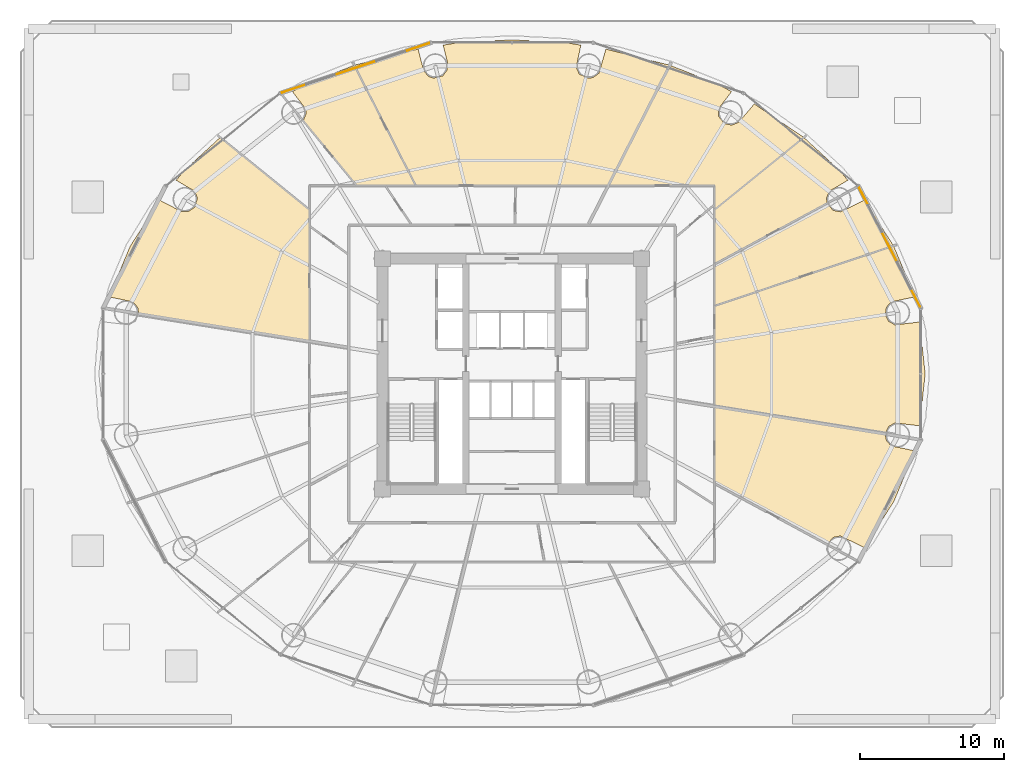
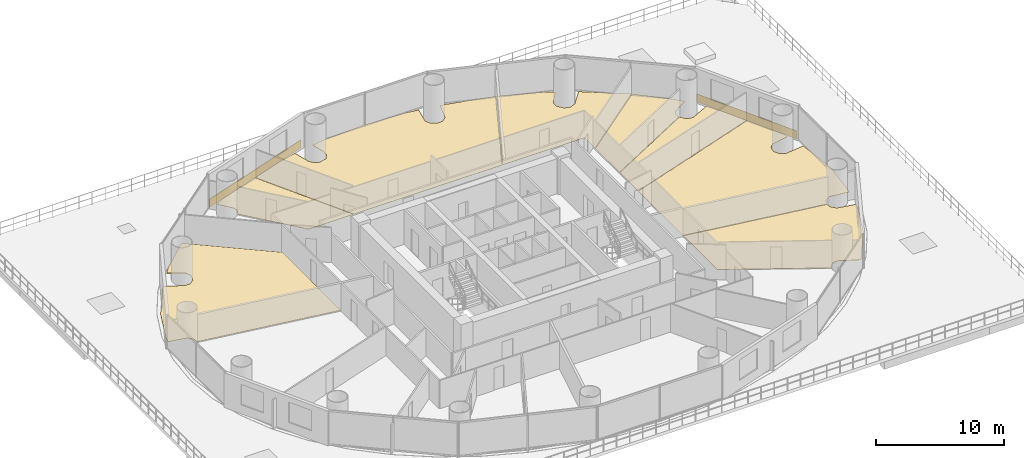
# One storey, part 37 of 37: 10 coverings.
"""IFC4 building model written with IfcOpenShell, lengths in metres."""

from ifc_helpers import new_model, si_unit, direction, frame, origin, origin_2d, place, context, subcontext, project, spatial, polyline, rectangle, outline, extrude, source, transform, mapped, material, layer, layer_set, type_object, element, save


model = new_model("IFC4")

# Units and contexts
model_context = context("Model", 3, precision=1e-05, world=origin(), true_north=direction((-0.2419218956, 0.970295726276)))
body_context = subcontext(model_context, "Body", "Model", "MODEL_VIEW")
ifc_project = project(units=[si_unit("LENGTHUNIT", "METRE"), si_unit("AREAUNIT", "SQUARE_METRE"), si_unit("VOLUMEUNIT", "CUBIC_METRE"), si_unit("PLANEANGLEUNIT", "RADIAN"), si_unit("MASSUNIT", "GRAM", prefix="KILO")], contexts=[model_context])

# Site, building, storey
site_placement = place(None, origin())
site = spatial("IfcSite", under=ifc_project, at=site_placement, CompositionType="ELEMENT")
building_placement = place(site_placement, origin())
building = spatial("IfcBuilding", under=site, at=building_placement, Name="Cobrevalo Terracotta Tower", CompositionType="ELEMENT")
storey_placement = place(building_placement, frame((0.0, 0.0, 24.0)))
storey = spatial("IfcBuildingStorey", under=building, at=storey_placement, Name="L05", CompositionType="ELEMENT", Elevation=24.0)

# Coverings
ifc_material_1 = material(Name="Engineered Brazilian hardwood flooring", Category="wood")
ifc_layer_1 = layer(ifc_material_1, 0.028076171875)
ifc_layer_set_1 = layer_set([ifc_layer_1], Name="Engineered Brazilian hardwood flooring")
covering_type_1 = type_object("IfcCoveringType", Name="Engineered Hardwood Suite Flooring 28", PredefinedType="FLOORING", material=ifc_layer_set_1)
covering_1_placement = place(storey_placement, origin())
element("IfcCovering", 1, at=covering_1_placement, inside=storey, type_object=covering_type_1, Name="Flat L05A Penthouse Living and Dining Room floor finish", PredefinedType="FLOORING", context=body_context, shape_type="SweptSolid", body=[
    extrude(outline(polyline([(64.531494140625, 35.684326171875), (65.74169921875, 32.80859375), (65.909423828125, 32.126220703125), (64.3642578125, 31.81298828125), (64.025146484375, 31.4306640625), (63.955322265625, 30.924560546875), (64.178466796875, 30.465087890625), (64.619384765625, 30.206787109375), (66.331298828125, 30.4111328125), (66.719970703125, 26.800048828125), (66.331298828125, 23.18896484375), (64.619384765625, 23.39306640625), (64.178466796875, 23.135009765625), (63.952880859375, 22.636962890625), (52.10498046875, 24.546630859375), (52.10498046875, 31.513427734375), (64.531494140625, 35.684326171875)])), origin(), (0.0, 0.0, 1.0), 0.030029296875),
])
covering_2_placement = place(storey_placement, origin())
element("IfcCovering", 2, at=covering_2_placement, inside=storey, type_object=covering_type_1, Name="Flat L05A Master Bedroom floor finish", PredefinedType="FLOORING", context=body_context, shape_type="SweptSolid", body=[
    extrude(outline(polyline([(59.915283203125, 38.643310546875), (60.325439453125, 38.163330078125), (60.826416015625, 38.063232421875), (62.488037109375, 38.87451171875), (64.5126953125, 35.72021484375), (52.10498046875, 31.555419921875), (52.10498046875, 34.41455078125), (59.915283203125, 38.643310546875)])), origin(), (0.0, 0.0, 1.0), 0.030029296875),
])
covering_3_placement = place(storey_placement, origin())
element("IfcCovering", 3, at=covering_3_placement, inside=storey, type_object=covering_type_1, Name="Flat L05A Principal Guest Bedroom floor finish", PredefinedType="FLOORING", context=body_context, shape_type="SweptSolid", body=[
    extrude(outline(polyline([(58.298583984375, 43.222900390625), (60.786376953125, 40.933837890625), (61.34423828125, 40.2587890625), (60.060791015625, 39.497802734375), (59.864990234375, 39.02587890625), (59.90234375, 38.681884765625), (52.10498046875, 34.4599609375), (52.10498046875, 38.2041015625), (58.298583984375, 43.222900390625)])), origin(), (0.0, 0.0, 1.0), 0.030029296875),
])
covering_4_placement = place(storey_placement, origin())
element("IfcCovering", 4, at=covering_4_placement, inside=storey, type_object=covering_type_1, Name="Flat L05A Penthouse Family Lounge floor finish", PredefinedType="FLOORING", context=body_context, shape_type="SweptSolid", body=[
    extrude(outline(polyline([(44.72119140625, 39.905029296875), (48.9873046875, 48.251220703125), (52.361572265625, 46.908203125), (53.26318359375, 46.421142578125), (52.35498046875, 45.23095703125), (52.350341796875, 44.719970703125), (52.772705078125, 44.1953125), (53.27294921875, 44.091064453125), (53.746826171875, 44.2822265625), (54.843505859375, 45.567138671875), (58.26611328125, 43.248291015625), (52.10498046875, 38.255615234375), (52.10498046875, 39.905029296875), (44.72119140625, 39.905029296875)])), origin(), (0.0, 0.0, 1.0), 0.030029296875),
])
covering_5_placement = place(storey_placement, origin())
element("IfcCovering", 5, at=covering_5_placement, inside=storey, type_object=covering_type_1, Name="Flat L05B Penthouse Living and Dining Room floor finish", PredefinedType="FLOORING", context=body_context, shape_type="SweptSolid", body=[
    extrude(outline(polyline([(31.472412109375, 49.37451171875), (31.8681640625, 47.85498046875), (32.210693359375, 47.475830078125), (32.533935546875, 47.35986328125), (33.1875, 47.5224609375), (33.492431640625, 47.932373046875), (33.5185546875, 48.44189453125), (33.21630859375, 49.65478515625), (34.250732421875, 49.8212890625), (38.0, 50.02001953125), (41.749267578125, 49.8212890625), (42.78369140625, 49.65478515625), (42.46533203125, 48.099853515625), (42.6845703125, 47.63818359375), (43.293701171875, 47.35107421875), (43.63330078125, 47.40185546875), (44.04345703125, 47.706787109375), (44.527587890625, 49.37451171875), (48.948974609375, 48.263671875), (44.67626953125, 39.905029296875), (31.32373046875, 39.905029296875), (27.051025390625, 48.263671875), (31.472412109375, 49.37451171875)])), origin(), (0.0, 0.0, 1.0), 0.030029296875),
])
covering_6_placement = place(storey_placement, origin())
element("IfcCovering", 6, at=covering_6_placement, inside=storey, type_object=covering_type_1, Name="Flat L05B Master Bedroom floor finish", PredefinedType="FLOORING", context=body_context, shape_type="SweptSolid", body=[
    extrude(outline(polyline([(23.4951171875, 44.42236328125), (23.681884765625, 44.889404296875), (23.64501953125, 45.23095703125), (22.73681640625, 46.421142578125), (23.638427734375, 46.908203125), (27.0126953125, 48.251220703125), (31.27880859375, 39.905029296875), (27.219970703125, 39.905029296875), (23.4951171875, 44.42236328125)])), origin(), (0.0, 0.0, 1.0), 0.030029296875),
])
covering_7_placement = place(storey_placement, origin())
element("IfcCovering", 7, at=covering_7_placement, inside=storey, type_object=covering_type_1, Name="Flat L05B Penthouse Family Lounge floor finish", PredefinedType="FLOORING", context=body_context, shape_type="SweptSolid", body=[
    extrude(outline(polyline([(13.511962890625, 38.87451171875), (15.00439453125, 38.096923828125), (15.51513671875, 38.09716796875), (15.93994140625, 38.38134765625), (16.135009765625, 39.02587890625), (15.939208984375, 39.497802734375), (14.65576171875, 40.2587890625), (15.213623046875, 40.933837890625), (17.701416015625, 43.222900390625), (23.89501953125, 38.2041015625), (23.89501953125, 29.09375), (12.04931640625, 31.003173828125), (11.974853515625, 31.4306640625), (11.6357421875, 31.81298828125), (10.090576171875, 32.126220703125), (10.25830078125, 32.80859375), (11.465576171875, 35.684326171875), (13.511962890625, 38.87451171875)])), origin(), (0.0, 0.0, 1.0), 0.030029296875),
])
covering_8_placement = place(storey_placement, origin())
element("IfcCovering", 8, at=covering_8_placement, inside=storey, type_object=covering_type_1, Name="Flat L05D Penthouse Family Lounge floor finish", PredefinedType="FLOORING", context=body_context, shape_type="SweptSolid", body=[
    extrude(outline(polyline([(62.488037109375, 14.7255859375), (60.826416015625, 15.53662109375), (60.325439453125, 15.436767578125), (59.915283203125, 14.95654296875), (52.10498046875, 19.185546875), (52.10498046875, 24.506103515625), (63.95068359375, 22.596923828125), (64.025146484375, 22.169189453125), (64.3642578125, 21.787109375), (65.909423828125, 21.473876953125), (65.74169921875, 20.791259765625), (64.534423828125, 17.91552734375), (62.488037109375, 14.7255859375)])), origin(), (0.0, 0.0, 1.0), 0.030029296875),
])
ifc_material_2 = material(Name="Glazed terracotta facade cladding tile", Category="masonry")
ifc_layer_2 = layer(ifc_material_2, 0.044921875)
ifc_layer_set_2 = layer_set([ifc_layer_2], Name="Glazed terracotta facade cladding tile")
covering_type_2 = type_object("IfcCoveringType", Name="Architectural terracotta rainscreen spandrel cladding 45 mm", PredefinedType="CLADDING", material=ifc_layer_set_2)
shared_shape_1 = source(origin(), body_context, "Body", "SweptSolid", [
    extrude(rectangle(XDim=9.30224609375, YDim=0.044921875, at=origin_2d()), origin(), (0.0, 0.0, 1.0), 0.760009765625),
])
covering_9_placement = place(storey_placement, frame((64.25048828125, 35.60888671875, 0.0400390625), z_axis=(0.0, 0.0, 1.0), x_axis=(-0.45523102861, 0.890373354605, 0.0)))
element("IfcCovering", 9, at=covering_9_placement, inside=storey, type_object=covering_type_2, Name="L05 terracotta spandrel cladding S01", PredefinedType="CLADDING", context=body_context, shape_type="MappedRepresentation", body=[
    mapped(shared_shape_1, transform((0.0, 0.0, 0.0), scale=1.0)),
])
shared_shape_2 = source(origin(), body_context, "Body", "SweptSolid", [
    extrude(rectangle(XDim=10.8154296875, YDim=0.044921875, at=origin_2d()), origin(), (0.0, 0.0, 1.0), 0.760009765625),
])
covering_10_placement = place(storey_placement, frame((27.126708984375, 48.06689453125, 0.0400390625), z_axis=(0.0, 0.0, 1.0), x_axis=(-0.948044172593, -0.318138722592, 0.0)))
element("IfcCovering", 10, at=covering_10_placement, inside=storey, type_object=covering_type_2, Name="L05 terracotta spandrel cladding S05", PredefinedType="CLADDING", context=body_context, shape_type="MappedRepresentation", body=[
    mapped(shared_shape_2, transform((0.0, 0.0, 0.0), scale=1.0)),
])

save(model, "model.ifc")
